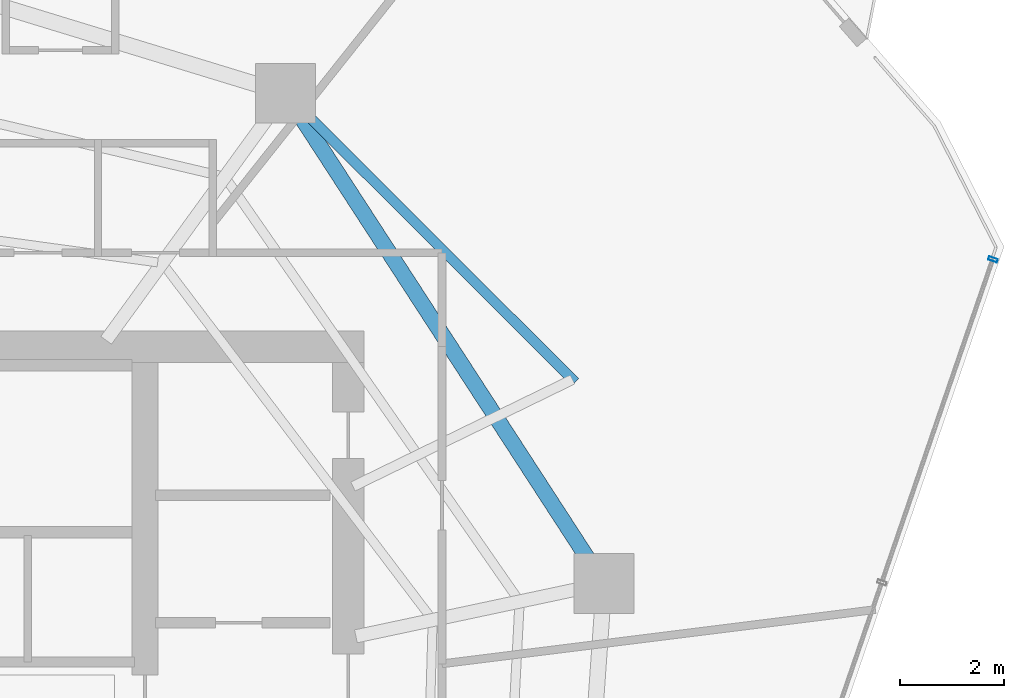
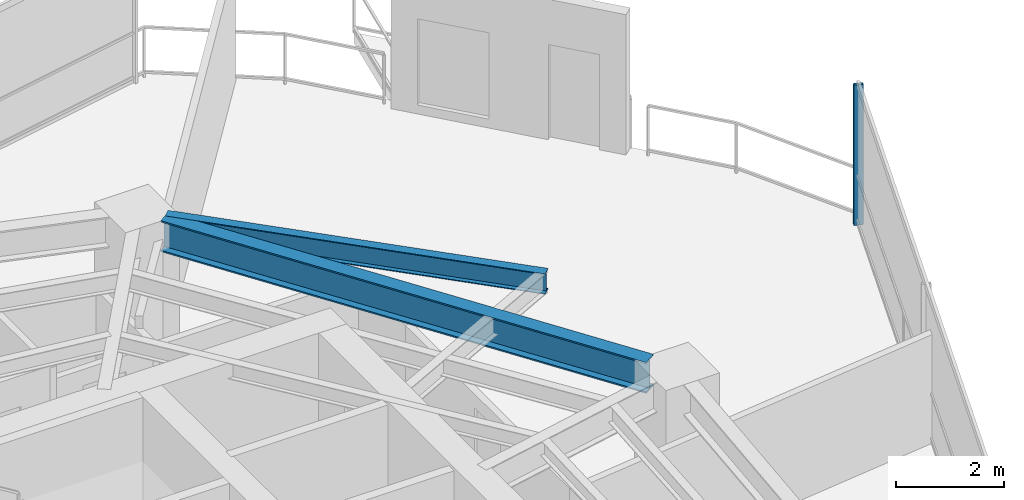
# One storey, part 20 of 27: 2 beams, 1 member, 1 element without a shape of its own.
"""IFC4 building model written with IfcOpenShell, lengths in metres."""

from ifc_helpers import new_model, si_unit, direction, frame, origin, origin_2d, place, context, subcontext, project, spatial, hollow_rectangle, i_section, extrude, material, layer, layer_set, material_profile, profile_set, type_object, element, aggregate, save


model = new_model("IFC4")

# Units and contexts
model_context = context("Model", 3, precision=1e-05, world=origin(), true_north=direction((0.0, 1.0)))
body_context = subcontext(model_context, "Body", "Model", "MODEL_VIEW")
ifc_project = project(units=[si_unit("LENGTHUNIT", "METRE"), si_unit("AREAUNIT", "SQUARE_METRE"), si_unit("VOLUMEUNIT", "CUBIC_METRE"), si_unit("PLANEANGLEUNIT", "RADIAN"), si_unit("MASSUNIT", "GRAM", prefix="KILO")], contexts=[model_context])

# Site, building, storey
site_placement = place(None, origin())
site = spatial("IfcSite", under=ifc_project, at=site_placement, CompositionType="ELEMENT")
building_placement = place(site_placement, origin())
building = spatial("IfcBuilding", under=site, at=building_placement, Name="Qarnah Convention Tower", CompositionType="ELEMENT")
storey_placement = place(building_placement, frame((0.0, 0.0, 107.39990234375)))
storey = spatial("IfcBuildingStorey", under=building, at=storey_placement, Name="L28", CompositionType="ELEMENT", Elevation=107.39990234375)

# Beams
ifc_material_1 = material(Name="Structural steel S355JR", Category="steel")
ifc_material_profile_1 = material_profile(ifc_material_1, i_section(OverallWidth=0.19189453125, OverallDepth=0.464111328125, WebThickness=0.010986328125, FlangeThickness=0.01806640625, at=origin_2d()), Name="W460X89")
ifc_profile_set_1 = profile_set([ifc_material_profile_1], Name="Structural steel S355JR")
beam_type_1 = type_object("IfcBeamType", Name="BM-CANT-W460A", PredefinedType="BEAM", material=ifc_profile_set_1)
beam_1_placement = place(storey_placement, frame((51.952880859375, 33.52099609375, 2.93798828125), z_axis=(-0.707978220507, 0.706234266577, 0.0), x_axis=(-0.706234266577, -0.707978220507, 0.0)))
element("IfcBeam", 1, at=beam_1_placement, inside=storey, type_object=beam_type_1, Name="L28 spandrel BM-L28-CTIE-01", PredefinedType="SPANDREL", context=body_context, shape_type="SweptSolid", body=[
    extrude(i_section(OverallWidth=0.19189453125, OverallDepth=0.464111328125, WebThickness=0.010986328125, FlangeThickness=0.01806640625, at=origin_2d()), origin(), (0.0, 0.0, 1.0), 7.279541015625),
])
ifc_material_profile_2 = material_profile(ifc_material_1, i_section(OverallWidth=0.300048828125, OverallDepth=0.699951171875, WebThickness=0.01708984375, FlangeThickness=0.031982421875, at=origin_2d()), Name="HEB700")
ifc_profile_set_2 = profile_set([ifc_material_profile_2], Name="Structural steel S355JR")
beam_type_2 = type_object("IfcBeamType", Name="BM-RING-HEB700", PredefinedType="BEAM", material=ifc_profile_set_2)
beam_2_placement = place(storey_placement, frame((52.199951171875, 30.1279296875, 2.820068359375), z_axis=(-0.544610528714, 0.838689079465, 0.0), x_axis=(-0.838689079465, -0.544610528714, 0.0)))
element("IfcBeam", 2, at=beam_2_placement, inside=storey, type_object=beam_type_2, Name="L28 beam BM-L28-SPN-01", PredefinedType="BEAM", context=body_context, shape_type="SweptSolid", body=[
    extrude(i_section(OverallWidth=0.300048828125, OverallDepth=0.699951171875, WebThickness=0.01708984375, FlangeThickness=0.031982421875, at=origin_2d()), origin(), (0.0, 0.0, 1.0), 10.0859375),
])

# Curtain wall, member
ifc_material_2 = material(Name="Tempered Low-E dark glass", Category="glass")
ifc_layer = layer(ifc_material_2, 0.169921875)
ifc_layer_set = layer_set([ifc_layer], Name="Tempered Low-E dark glass")
curtain_wall_type = type_object("IfcCurtainWallType", Name="CWS-02", PredefinedType="NOTDEFINED", material=ifc_layer_set)
curtain_wall_placement = place(storey_placement, origin())
curtain_wall = element("IfcCurtainWall", 3, at=curtain_wall_placement, inside=storey, type_object=curtain_wall_type, Name="L28 unitised curtain wall CW-L28-F2", PredefinedType="NOTDEFINED")
ifc_material_3 = material(Name="Black anodised aluminium", Category="aluminium")
ifc_material_profile_3 = material_profile(ifc_material_3, hollow_rectangle(XDim=0.06494140625, YDim=0.179931640625, WallThickness=0.00390625, at=origin_2d()), Name="MUL-65X180")
ifc_profile_set_3 = profile_set([ifc_material_profile_3], Name="Black anodised aluminium")
member_type = type_object("IfcMemberType", Name="MUL-T2", PredefinedType="MULLION", material=ifc_profile_set_3)
member_placement = place(storey_placement, frame((59.969970703125, 35.873046875, 0.0), z_axis=(0.0, 0.0, 1.0), x_axis=(-0.324901541187, -0.94574784617, 0.0)))
member = element("IfcMember", 4, at=member_placement, type_object=member_type, Name="CW-L28-F2 mullion 1", PredefinedType="MULLION", context=body_context, shape_type="SweptSolid", body=[
    extrude(hollow_rectangle(XDim=0.06494140625, YDim=0.179931640625, WallThickness=0.00390625, at=origin_2d()), origin(), (0.0, 0.0, 1.0), 3.170166015625),
])
aggregate(curtain_wall, [member])

save(model, "model.ifc")
